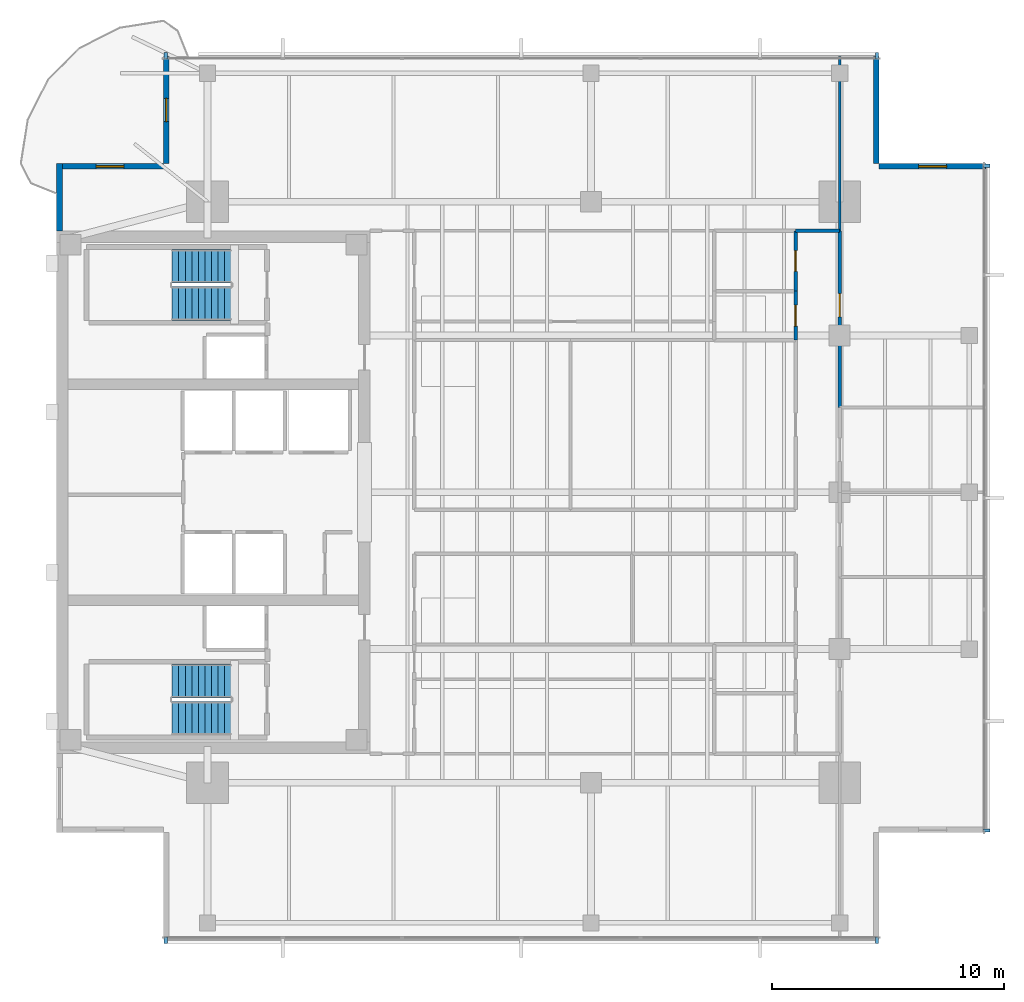
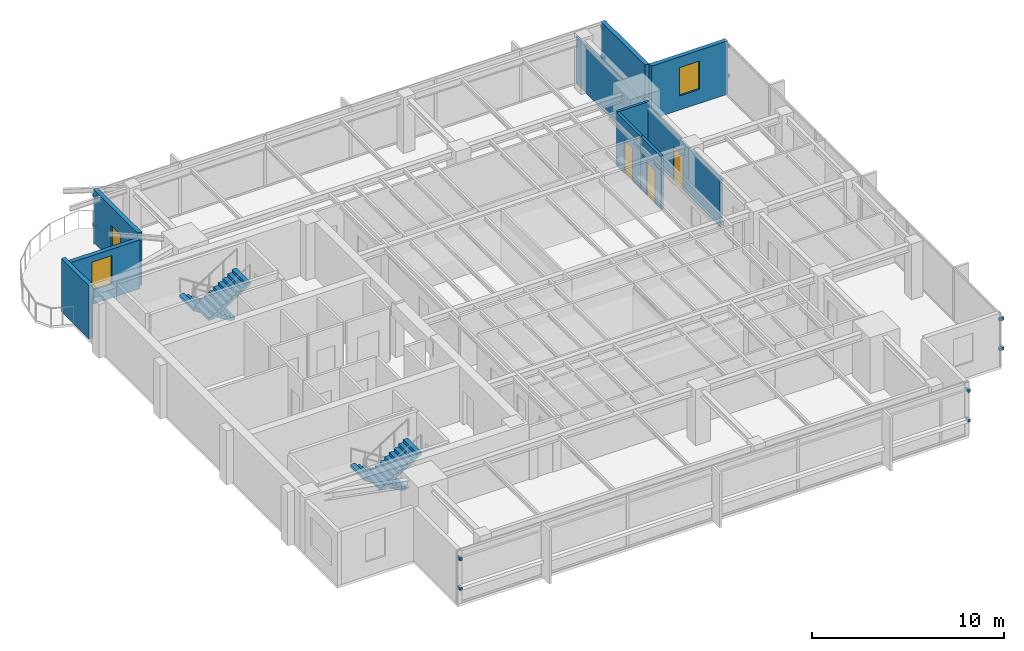
# One storey, part 10 of 14: 12 discrete accessories, 10 walls, 4 doors, 4 stair flights, 2 windows, 6 openings, 2 elements without a shape of their own.
"""IFC4 building model written with IfcOpenShell, lengths in metres."""

from ifc_helpers import new_model, si_unit, direction, frame, frame_2d, origin, origin_2d, place, context, subcontext, project, spatial, polyline, rectangle, outline, extrude, material, layer, layer_set, type_object, element, fill, aggregate, save


model = new_model("IFC4")

# Units and contexts
model_context = context("Model", 3, precision=1e-05, world=origin(), true_north=direction((0.0, 1.0)))
body_context = subcontext(model_context, "Body", "Model", "MODEL_VIEW")
ifc_project = project(units=[si_unit("LENGTHUNIT", "METRE"), si_unit("AREAUNIT", "SQUARE_METRE"), si_unit("VOLUMEUNIT", "CUBIC_METRE"), si_unit("PLANEANGLEUNIT", "RADIAN"), si_unit("MASSUNIT", "GRAM", prefix="KILO")], contexts=[model_context])

# Site, building, storey
site_placement = place(None, origin())
site = spatial("IfcSite", under=ifc_project, at=site_placement, CompositionType="ELEMENT")
building_placement = place(site_placement, origin())
building = spatial("IfcBuilding", under=site, at=building_placement, Name="Kinhvarn Gate Tower", CompositionType="ELEMENT")
storey_placement = place(building_placement, frame((0.0, 0.0, 252.800048828125)))
storey = spatial("IfcBuildingStorey", under=building, at=storey_placement, Name="L67", CompositionType="ELEMENT", Elevation=252.800048828125)

# Wall
ifc_material_1 = material(Name="Fired architectural terracotta", Category="masonry")
ifc_layer_1 = layer(ifc_material_1, 0.25)
ifc_layer_set_1 = layer_set([ifc_layer_1], Name="Fired architectural terracotta")
wall_type_1 = type_object("IfcWallType", Name="WL-EXT-250", PredefinedType="SOLIDWALL", material=ifc_layer_set_1)
wall_1_placement = place(storey_placement, frame((4.625, 39.39990234375, 0.0), z_axis=(0.0, 0.0, 1.0), x_axis=(0.0, -1.0, 0.0)))
element("IfcWall", 1, at=wall_1_placement, inside=storey, type_object=wall_type_1, Name="Exterior Solidwall Wall EW-250 (L67 West-North)", PredefinedType="SOLIDWALL", context=body_context, shape_type="SweptSolid", body=[
    extrude(rectangle(XDim=2.89990234375, YDim=0.25, at=frame_2d((1.449951171875, 0.0))), origin(), (0.0, 0.0, 1.0), 3.389892578125),
])

# Wall, opening, window
wall_2_placement = place(storey_placement, frame((44.5, 39.27490234375, 0.0), z_axis=(0.0, 0.0, 1.0), x_axis=(-1.0, 0.0, 0.0)))
wall_2 = element("IfcWall", 2, at=wall_2_placement, inside=storey, type_object=wall_type_1, Name="Exterior Solidwall Wall EW-250 (L67 NE-Notch-1)", PredefinedType="SOLIDWALL", context=body_context, shape_type="SweptSolid", body=[
    extrude(rectangle(XDim=4.60009765625, YDim=0.25, at=frame_2d((2.300048828125, 0.0))), origin(), (0.0, 0.0, 1.0), 3.389892578125),
])
opening_1_placement = place(wall_2_placement, frame((1.699951171875, 0.0, 0.89990234375)))
opening_1 = element("IfcOpeningElement", 3, at=opening_1_placement, cuts=wall_2, Name="Opening WN-02", PredefinedType="OPENING", context=body_context, shape_type="SweptSolid", body=[
    extrude(rectangle(XDim=1.199951171875, YDim=1.800048828125, at=frame_2d((0.60009765625, 0.89990234375))), frame((0.0, 0.135009765625, 0.0), z_axis=(0.0, -1.0, 0.0), x_axis=(1.0, 0.0, 0.0)), (0.0, 0.0, 1.0), 0.27001953125),
])
ifc_material_2 = material(Name="Clear low-e double glazing", Category="glass")
window_type = type_object("IfcWindowType", Name="WIN-NTC-1200", PartitioningType="SINGLE_PANEL", PredefinedType="WINDOW", material=ifc_material_2)
window_1_placement = place(opening_1_placement, origin())
window_1 = element("IfcWindow", 4, at=window_1_placement, inside=storey, type_object=window_type, Name="Recessed Corner Notch Punched Window 1200x1800 mm (L67)", OverallHeight=1.800048828125, OverallWidth=1.199951171875, PartitioningType="SINGLE_PANEL", PredefinedType="WINDOW", context=body_context, shape_type="SweptSolid", body=[
    extrude(rectangle(XDim=1.199951171875, YDim=1.800048828125, at=frame_2d((0.60009765625, 0.89990234375))), frame((0.0, 0.030029296875, 0.0), z_axis=(0.0, -1.0, 0.0), x_axis=(1.0, 0.0, 0.0)), (0.0, 0.0, 1.0), 0.06005859375),
])
fill(opening_1, window_1)

# Wall
wall_3_placement = place(storey_placement, frame((39.77490234375, 39.39990234375, 0.0), z_axis=(0.0, 0.0, 1.0), x_axis=(0.0, 1.0, 0.0)))
element("IfcWall", 5, at=wall_3_placement, inside=storey, type_object=wall_type_1, Name="Exterior Solidwall Wall EW-250 (L67 NE-Notch-2)", PredefinedType="SOLIDWALL", context=body_context, shape_type="SweptSolid", body=[
    extrude(rectangle(XDim=4.60009765625, YDim=0.25, at=frame_2d((2.300048828125, 0.0))), origin(), (0.0, 0.0, 1.0), 3.389892578125),
])

# Wall, opening, door
wall_4_placement = place(storey_placement, frame((9.22509765625, 44.0, 0.0), z_axis=(0.0, 0.0, 1.0), x_axis=(0.0, -1.0, 0.0)))
wall_4 = element("IfcWall", 6, at=wall_4_placement, inside=storey, type_object=wall_type_1, Name="Exterior Solidwall Wall EW-250 (L67 NW-Notch-Door)", PredefinedType="SOLIDWALL", context=body_context, shape_type="SweptSolid", body=[
    extrude(rectangle(XDim=4.60009765625, YDim=0.25, at=frame_2d((2.300048828125, 0.0))), origin(), (0.0, 0.0, 1.0), 3.389892578125),
])
opening_2_placement = place(wall_4_placement, frame((1.800048828125, 0.0, 0.0)))
opening_2 = element("IfcOpeningElement", 7, at=opening_2_placement, cuts=wall_4, Name="Opening BD-01", PredefinedType="OPENING", context=body_context, shape_type="SweptSolid", body=[
    extrude(rectangle(XDim=1.0, YDim=2.199951171875, at=frame_2d((0.5, 1.10009765625))), frame((0.0, 0.135009765625, 0.0), z_axis=(0.0, -1.0, 0.0), x_axis=(1.0, 0.0, 0.0)), (0.0, 0.0, 1.0), 0.27001953125),
])
door_type_1 = type_object("IfcDoorType", Name="DR-BAL-1000", OperationType="NOTDEFINED", PredefinedType="DOOR", material=ifc_material_2)
door_1_placement = place(opening_2_placement, frame((1.0, 0.0, 0.0), z_axis=(0.0, 0.0, 1.0), x_axis=(-1.0, 0.0, 0.0)))
door_1 = element("IfcDoor", 8, at=door_1_placement, inside=storey, type_object=door_type_1, Name="S-Carve Balcony Door BD-01 (L67)", OperationType="SINGLE_SWING_RIGHT", OverallHeight=2.199951171875, OverallWidth=1.0, PredefinedType="DOOR", context=body_context, shape_type="SweptSolid", body=[
    extrude(rectangle(XDim=1.0, YDim=2.199951171875, at=frame_2d((0.5, 1.10009765625))), frame((0.0, 0.02490234375, 0.0), z_axis=(0.0, -1.0, 0.0), x_axis=(1.0, 0.0, 0.0)), (0.0, 0.0, 1.0), 0.050048828125),
])
fill(opening_2, door_1)

# Wall, opening, window
wall_5_placement = place(storey_placement, frame((9.10009765625, 39.27490234375, 0.0), z_axis=(0.0, 0.0, 1.0), x_axis=(-1.0, 0.0, 0.0)))
wall_5 = element("IfcWall", 9, at=wall_5_placement, inside=storey, type_object=wall_type_1, Name="Exterior Solidwall Wall EW-250 (L67 NW-Notch-Win)", PredefinedType="SOLIDWALL", context=body_context, shape_type="SweptSolid", body=[
    extrude(rectangle(XDim=4.60009765625, YDim=0.25, at=frame_2d((2.300048828125, 0.0))), origin(), (0.0, 0.0, 1.0), 3.119873046875),
])
opening_3_placement = place(wall_5_placement, frame((1.699951171875, 0.0, 0.89990234375)))
opening_3 = element("IfcOpeningElement", 10, at=opening_3_placement, cuts=wall_5, Name="Opening WN-02", PredefinedType="OPENING", context=body_context, shape_type="SweptSolid", body=[
    extrude(rectangle(XDim=1.199951171875, YDim=1.800048828125, at=frame_2d((0.60009765625, 0.89990234375))), frame((0.0, 0.135009765625, 0.0), z_axis=(0.0, -1.0, 0.0), x_axis=(1.0, 0.0, 0.0)), (0.0, 0.0, 1.0), 0.27001953125),
])
window_2_placement = place(opening_3_placement, origin())
window_2 = element("IfcWindow", 11, at=window_2_placement, inside=storey, type_object=window_type, Name="Recessed Corner Notch Punched Window 1200x1800 mm (L67)", OverallHeight=1.800048828125, OverallWidth=1.199951171875, PartitioningType="SINGLE_PANEL", PredefinedType="WINDOW", context=body_context, shape_type="SweptSolid", body=[
    extrude(rectangle(XDim=1.199951171875, YDim=1.800048828125, at=frame_2d((0.60009765625, 0.89990234375))), frame((0.0, 0.030029296875, 0.0), z_axis=(0.0, -1.0, 0.0), x_axis=(1.0, 0.0, 0.0)), (0.0, 0.0, 1.0), 0.06005859375),
])
fill(opening_3, window_2)

# Wall, opening, door
ifc_material_3 = material(Name="Gypsum acoustic partition board")
ifc_layer_2 = layer(ifc_material_3, 0.14990234375)
ifc_layer_set_2 = layer_set([ifc_layer_2], Name="Gypsum acoustic partition board")
wall_type_2 = type_object("IfcWallType", Name="WL-PLM-150F", PredefinedType="PLUMBINGWALL", material=ifc_layer_set_2)
wall_6_placement = place(storey_placement, frame((36.300048828125, 33.89990234375, 0.0), z_axis=(0.0, 0.0, 1.0), x_axis=(0.0, 1.0, 0.0)))
wall_6 = element("IfcWall", 12, at=wall_6_placement, inside=storey, type_object=wall_type_2, Name="Interior Partition PLW-150F (L67)", PredefinedType="PLUMBINGWALL", context=body_context, shape_type="SweptSolid", body=[
    extrude(rectangle(XDim=2.60009765625, YDim=0.14990234375, at=frame_2d((1.300048828125, 0.0))), origin(), (0.0, 0.0, 1.0), 3.389892578125),
])
opening_4_placement = place(wall_6_placement, frame((0.85009765625, 0.0, 0.0)))
opening_4 = element("IfcOpeningElement", 13, at=opening_4_placement, cuts=wall_6, Name="Opening FD-04", PredefinedType="OPENING", context=body_context, shape_type="SweptSolid", body=[
    extrude(rectangle(XDim=0.89990234375, YDim=2.10009765625, at=frame_2d((0.449951171875, 1.050048828125))), frame((0.0, 0.0849609375, 0.0), z_axis=(0.0, -1.0, 0.0), x_axis=(1.0, 0.0, 0.0)), (0.0, 0.0, 1.0), 0.169921875),
])
ifc_material_4 = material(Name="Anodised aluminium AW-6063", Category="aluminium")
door_type_2 = type_object("IfcDoorType", Name="DR-FD-900", OperationType="NOTDEFINED", PredefinedType="DOOR", material=ifc_material_4)
door_2_placement = place(opening_4_placement, origin())
door_2 = element("IfcDoor", 14, at=door_2_placement, inside=storey, type_object=door_type_2, Name="Rated Riser & Service Closet Fire Door 900x2100 mm (L67)", OperationType="SINGLE_SWING_LEFT", OverallHeight=2.10009765625, OverallWidth=0.89990234375, PredefinedType="DOOR", context=body_context, shape_type="SweptSolid", body=[
    extrude(rectangle(XDim=0.89990234375, YDim=2.10009765625, at=frame_2d((0.449951171875, 1.050048828125))), frame((0.0, 0.02490234375, 0.0), z_axis=(0.0, -1.0, 0.0), x_axis=(1.0, 0.0, 0.0)), (0.0, 0.0, 1.0), 0.050048828125),
])
fill(opening_4, door_2)

wall_7_placement = place(storey_placement, frame((36.300048828125, 31.800048828125, 0.0), z_axis=(0.0, 0.0, 1.0), x_axis=(0.0, 1.0, 0.0)))
wall_7 = element("IfcWall", 15, at=wall_7_placement, inside=storey, type_object=wall_type_2, Name="Interior Partition PLW-150F (L67)", PredefinedType="PLUMBINGWALL", context=body_context, shape_type="SweptSolid", body=[
    extrude(rectangle(XDim=2.099853515625, YDim=0.14990234375, at=frame_2d((1.0498046875, 0.0))), origin(), (0.0, 0.0, 1.0), 3.389892578125),
])
opening_5_placement = place(wall_7_placement, frame((0.60009765625, 0.0, 0.0)))
opening_5 = element("IfcOpeningElement", 16, at=opening_5_placement, cuts=wall_7, Name="Opening FD-04", PredefinedType="OPENING", context=body_context, shape_type="SweptSolid", body=[
    extrude(rectangle(XDim=0.89990234375, YDim=2.10009765625, at=frame_2d((0.449951171875, 1.050048828125))), frame((0.0, 0.0849609375, 0.0), z_axis=(0.0, -1.0, 0.0), x_axis=(1.0, 0.0, 0.0)), (0.0, 0.0, 1.0), 0.169921875),
])
door_3_placement = place(opening_5_placement, origin())
door_3 = element("IfcDoor", 17, at=door_3_placement, inside=storey, type_object=door_type_2, Name="Rated Riser & Service Closet Fire Door 900x2100 mm (L67)", OperationType="SINGLE_SWING_LEFT", OverallHeight=2.10009765625, OverallWidth=0.89990234375, PredefinedType="DOOR", context=body_context, shape_type="SweptSolid", body=[
    extrude(rectangle(XDim=0.89990234375, YDim=2.10009765625, at=frame_2d((0.449951171875, 1.050048828125))), frame((0.0, 0.02490234375, 0.0), z_axis=(0.0, -1.0, 0.0), x_axis=(1.0, 0.0, 0.0)), (0.0, 0.0, 1.0), 0.050048828125),
])
fill(opening_5, door_3)

# Walls
ifc_layer_3 = layer(ifc_material_3, 0.1201171875)
ifc_layer_set_3 = layer_set([ifc_layer_3], Name="Gypsum acoustic partition board")
wall_type_3 = type_object("IfcWallType", Name="WL-PRT-120", PredefinedType="PARTITIONING", material=ifc_layer_set_3)
wall_8_placement = place(storey_placement, frame((38.199951171875, 36.5, 0.0), z_axis=(0.0, 0.0, 1.0), x_axis=(0.0, 1.0, 0.0)))
element("IfcWall", 18, at=wall_8_placement, inside=storey, type_object=wall_type_3, Name="Interior Partition PW-120 (L67)", PredefinedType="PARTITIONING", context=body_context, shape_type="SweptSolid", body=[
    extrude(rectangle(XDim=7.489990234375, YDim=0.1201171875, at=frame_2d((3.7451171875, 0.0))), origin(), (0.0, 0.0, 1.0), 2.989990234375),
])
ifc_layer_4 = layer(ifc_material_3, 0.14990234375)
ifc_layer_set_4 = layer_set([ifc_layer_4], Name="Gypsum acoustic partition board")
wall_type_4 = type_object("IfcWallType", Name="WL-PRT-150F", PredefinedType="PARTITIONING", material=ifc_layer_set_4)
wall_9_placement = place(storey_placement, frame((36.300048828125, 36.5, 0.0), z_axis=(0.0, 0.0, 1.0), x_axis=(1.0, 0.0, 0.0)))
element("IfcWall", 19, at=wall_9_placement, inside=storey, type_object=wall_type_4, Name="Interior Partition PW-150F (L67)", PredefinedType="PARTITIONING", context=body_context, shape_type="SweptSolid", body=[
    extrude(rectangle(XDim=1.89990234375, YDim=0.14990234375, at=frame_2d((0.949951171875, 0.0))), origin(), (0.0, 0.0, 1.0), 3.389892578125),
])

# Wall, opening, door
wall_10_placement = place(storey_placement, frame((38.199951171875, 28.89990234375, 0.0), z_axis=(0.0, 0.0, 1.0), x_axis=(0.0, 1.0, 0.0)))
wall_10 = element("IfcWall", 20, at=wall_10_placement, inside=storey, type_object=wall_type_4, Name="Interior Partition PW-150F (L67)", PredefinedType="PARTITIONING", context=body_context, shape_type="SweptSolid", body=[
    extrude(rectangle(XDim=7.60009765625, YDim=0.14990234375, at=frame_2d((3.800048828125, 0.0))), origin(), (0.0, 0.0, 1.0), 2.989990234375),
])
opening_6_placement = place(wall_10_placement, frame((3.89404296875, 0.0, 0.0)))
opening_6 = element("IfcOpeningElement", 21, at=opening_6_placement, cuts=wall_10, Name="Opening ID-02", PredefinedType="OPENING", context=body_context, shape_type="SweptSolid", body=[
    extrude(rectangle(XDim=1.0, YDim=2.14990234375, at=frame_2d((0.5, 1.074951171875))), frame((0.0, 0.0849609375, 0.0), z_axis=(0.0, -1.0, 0.0), x_axis=(1.0, 0.0, 0.0)), (0.0, 0.0, 1.0), 0.169921875),
])
door_type_3 = type_object("IfcDoorType", Name="DR-INT-1000", OperationType="NOTDEFINED", PredefinedType="DOOR", material=ifc_material_4)
door_4_placement = place(opening_6_placement, origin())
door_4 = element("IfcDoor", 22, at=door_4_placement, inside=storey, type_object=door_type_3, Name="Standard Office & Meeting Room Door 1000x2150 mm (L67)", OperationType="SINGLE_SWING_LEFT", OverallHeight=2.14990234375, OverallWidth=1.0, PredefinedType="DOOR", context=body_context, shape_type="SweptSolid", body=[
    extrude(rectangle(XDim=1.0, YDim=2.14990234375, at=frame_2d((0.5, 1.074951171875))), frame((0.0, 0.02490234375, 0.0), z_axis=(0.0, -1.0, 0.0), x_axis=(1.0, 0.0, 0.0)), (0.0, 0.0, 1.0), 0.050048828125),
])
fill(opening_6, door_4)

# Stair, stair flights
ifc_material_5 = material(Name="Concrete C40/50", Category="concrete")
stair_type = type_object("IfcStairType", Name="STR-DLG-178", PredefinedType="HALF_TURN_STAIR", material=ifc_material_5)
stair_1_placement = place(storey_placement, origin())
stair_1 = element("IfcStair", 23, at=stair_1_placement, inside=storey, type_object=stair_type, Name="L67 Core Smokeproof Exit Stair ST1", PredefinedType="HALF_TURN_STAIR")
stair_flight_type = type_object("IfcStairFlightType", Name="STF-DLG-178", PredefinedType="STRAIGHT", material=ifc_material_5)
stair_flight_1_placement = place(storey_placement, frame((12.0, 17.125, 0.0), z_axis=(0.0, 0.0, 1.0), x_axis=(-1.0, 0.0, 0.0)))
stair_flight_1 = element("IfcStairFlight", 24, at=stair_flight_1_placement, type_object=stair_flight_type, Name="ST1 flight 1", NumberOfRisers=10, NumberOfTreads=9, PredefinedType="STRAIGHT", RiserHeight=0.1775, TreadLength=0.28, context=body_context, shape_type="SweptSolid", body=[
    extrude(outline(polyline([(0.0, 0.0), (0.0, 0.177490234375), (0.280029296875, 0.177490234375), (0.280029296875, 0.35498046875), (0.56005859375, 0.35498046875), (0.56005859375, 0.532470703125), (0.840087890625, 0.532470703125), (0.840087890625, 0.7099609375), (1.1201171875, 0.7099609375), (1.1201171875, 0.887451171875), (1.39990234375, 0.887451171875), (1.39990234375, 1.06494140625), (1.679931640625, 1.06494140625), (1.679931640625, 1.242431640625), (1.9599609375, 1.242431640625), (1.9599609375, 1.419921875), (2.239990234375, 1.419921875), (2.239990234375, 1.597412109375), (2.52001953125, 1.597412109375), (2.52001953125, 1.77490234375), (2.52001953125, 1.419921875), (0.280029296875, 0.0), (0.0, 0.0)])), frame((0.0, 0.72509765625, 0.0), z_axis=(0.0, -1.0, 0.0), x_axis=(1.0, 0.0, 0.0)), (0.0, 0.0, 1.0), 1.449951171875),
])
stair_flight_2_placement = place(storey_placement, frame((9.47998046875, 15.52490234375, 1.77490234375), z_axis=(0.0, 0.0, 1.0), x_axis=(1.0, 0.0, 0.0)))
stair_flight_2 = element("IfcStairFlight", 25, at=stair_flight_2_placement, type_object=stair_flight_type, Name="ST1 flight 2", NumberOfRisers=10, NumberOfTreads=9, PredefinedType="STRAIGHT", RiserHeight=0.1775, TreadLength=0.28, context=body_context, shape_type="SweptSolid", body=[
    extrude(outline(polyline([(0.0, 0.0), (0.0, 0.177490234375), (0.280029296875, 0.177490234375), (0.280029296875, 0.35498046875), (0.56005859375, 0.35498046875), (0.56005859375, 0.532470703125), (0.840087890625, 0.532470703125), (0.840087890625, 0.7099609375), (1.1201171875, 0.7099609375), (1.1201171875, 0.887451171875), (1.39990234375, 0.887451171875), (1.39990234375, 1.06494140625), (1.679931640625, 1.06494140625), (1.679931640625, 1.242431640625), (1.9599609375, 1.242431640625), (1.9599609375, 1.419921875), (2.239990234375, 1.419921875), (2.239990234375, 1.597412109375), (2.52001953125, 1.597412109375), (2.52001953125, 1.77490234375), (2.52001953125, 1.419921875), (0.280029296875, 0.0), (0.0, 0.0)])), frame((0.0, 0.72509765625, 0.0), z_axis=(0.0, -1.0, 0.0), x_axis=(1.0, 0.0, 0.0)), (0.0, 0.0, 1.0), 1.449951171875),
])
aggregate(stair_1, [stair_flight_1, stair_flight_2])

stair_2_placement = place(storey_placement, origin())
stair_2 = element("IfcStair", 26, at=stair_2_placement, inside=storey, type_object=stair_type, Name="L67 Core Smokeproof Exit Stair ST2", PredefinedType="HALF_TURN_STAIR")
stair_flight_3_placement = place(storey_placement, frame((12.0, 34.97509765625, 0.0), z_axis=(0.0, 0.0, 1.0), x_axis=(-1.0, 0.0, 0.0)))
stair_flight_3 = element("IfcStairFlight", 27, at=stair_flight_3_placement, type_object=stair_flight_type, Name="ST2 flight 1", NumberOfRisers=10, NumberOfTreads=9, PredefinedType="STRAIGHT", RiserHeight=0.1775, TreadLength=0.28, context=body_context, shape_type="SweptSolid", body=[
    extrude(outline(polyline([(0.0, 0.0), (0.0, 0.177490234375), (0.280029296875, 0.177490234375), (0.280029296875, 0.35498046875), (0.56005859375, 0.35498046875), (0.56005859375, 0.532470703125), (0.840087890625, 0.532470703125), (0.840087890625, 0.7099609375), (1.1201171875, 0.7099609375), (1.1201171875, 0.887451171875), (1.39990234375, 0.887451171875), (1.39990234375, 1.06494140625), (1.679931640625, 1.06494140625), (1.679931640625, 1.242431640625), (1.9599609375, 1.242431640625), (1.9599609375, 1.419921875), (2.239990234375, 1.419921875), (2.239990234375, 1.597412109375), (2.52001953125, 1.597412109375), (2.52001953125, 1.77490234375), (2.52001953125, 1.419921875), (0.280029296875, 0.0), (0.0, 0.0)])), frame((0.0, 0.72509765625, 0.0), z_axis=(0.0, -1.0, 0.0), x_axis=(1.0, 0.0, 0.0)), (0.0, 0.0, 1.0), 1.449951171875),
])
stair_flight_4_placement = place(storey_placement, frame((9.47998046875, 33.375, 1.77490234375), z_axis=(0.0, 0.0, 1.0), x_axis=(1.0, 0.0, 0.0)))
stair_flight_4 = element("IfcStairFlight", 28, at=stair_flight_4_placement, type_object=stair_flight_type, Name="ST2 flight 2", NumberOfRisers=10, NumberOfTreads=9, PredefinedType="STRAIGHT", RiserHeight=0.1775, TreadLength=0.28, context=body_context, shape_type="SweptSolid", body=[
    extrude(outline(polyline([(0.0, 0.0), (0.0, 0.177490234375), (0.280029296875, 0.177490234375), (0.280029296875, 0.35498046875), (0.56005859375, 0.35498046875), (0.56005859375, 0.532470703125), (0.840087890625, 0.532470703125), (0.840087890625, 0.7099609375), (1.1201171875, 0.7099609375), (1.1201171875, 0.887451171875), (1.39990234375, 0.887451171875), (1.39990234375, 1.06494140625), (1.679931640625, 1.06494140625), (1.679931640625, 1.242431640625), (1.9599609375, 1.242431640625), (1.9599609375, 1.419921875), (2.239990234375, 1.419921875), (2.239990234375, 1.597412109375), (2.52001953125, 1.597412109375), (2.52001953125, 1.77490234375), (2.52001953125, 1.419921875), (0.280029296875, 0.0), (0.0, 0.0)])), frame((0.0, 0.72509765625, 0.0), z_axis=(0.0, -1.0, 0.0), x_axis=(1.0, 0.0, 0.0)), (0.0, 0.0, 1.0), 1.449951171875),
])
aggregate(stair_2, [stair_flight_3, stair_flight_4])

# Discrete accessories
discrete_accessory_type = type_object("IfcDiscreteAccessoryType", Name="ACC-BRK-01", PredefinedType="BRACKET", material=ifc_material_4)
for number, where, z_axis, x_axis, name in (
    (29, (9.199951171875, 5.969970703125, 0.9599609375), (0.0, 0.0, 1.0), (1.0, 0.0, 0.0), "Baguette Support Bracket BK-01 (L67)"),
    (30, (9.199951171875, 5.969970703125, 2.85009765625), (0.0, 0.0, 1.0), (1.0, 0.0, 0.0), "Baguette Support Bracket BK-01 (L67)"),
    (31, (39.800048828125, 5.969970703125, 0.9599609375), (0.0, 0.0, 1.0), (1.0, 0.0, 0.0), "Baguette Support Bracket BK-01 (L67)"),
    (32, (39.800048828125, 5.969970703125, 2.85009765625), (0.0, 0.0, 1.0), (1.0, 0.0, 0.0), "Baguette Support Bracket BK-01 (L67)"),
    (33, (39.800048828125, 44.030029296875, 0.9599609375), (0.0, 0.0, 1.0), (-1.0, 0.0, 0.0), "Baguette Support Bracket BK-01 (L67)"),
    (34, (39.800048828125, 44.030029296875, 2.85009765625), (0.0, 0.0, 1.0), (-1.0, 0.0, 0.0), "Baguette Support Bracket BK-01 (L67)"),
    (35, (9.199951171875, 44.030029296875, 0.9599609375), (0.0, 0.0, 1.0), (-1.0, 0.0, 0.0), "Baguette Support Bracket BK-01 (L67)"),
    (36, (9.199951171875, 44.030029296875, 2.85009765625), (0.0, 0.0, 1.0), (-1.0, 0.0, 0.0), "Baguette Support Bracket BK-01 (L67)"),
    (37, (44.530029296875, 10.699951171875, 0.9599609375), (0.0, 0.0, 1.0), (0.0, 1.0, 0.0), "Baguette Support Bracket BK-01 (L67)"),
    (38, (44.530029296875, 10.699951171875, 2.85009765625), (0.0, 0.0, 1.0), (0.0, 1.0, 0.0), "Baguette Support Bracket BK-01 (L67)"),
    (39, (44.530029296875, 39.300048828125, 0.9599609375), (0.0, 0.0, 1.0), (0.0, 1.0, 0.0), "Baguette Support Bracket BK-01 (L67)"),
    (40, (44.530029296875, 39.300048828125, 2.85009765625), (0.0, 0.0, 1.0), (0.0, 1.0, 0.0), "Baguette Support Bracket BK-01 (L67)"),
):
    element("IfcDiscreteAccessory", number, at=place(storey_placement, frame(where, z_axis=z_axis, x_axis=x_axis)), inside=storey, type_object=discrete_accessory_type, Name=name, PredefinedType="BRACKET", context=body_context, shape_type="SweptSolid", body=[
        extrude(rectangle(XDim=0.139892578125, YDim=0.280029296875, at=origin_2d()), origin(), (0.0, 0.0, 1.0), 0.179931640625),
    ])

save(model, "model.ifc")
